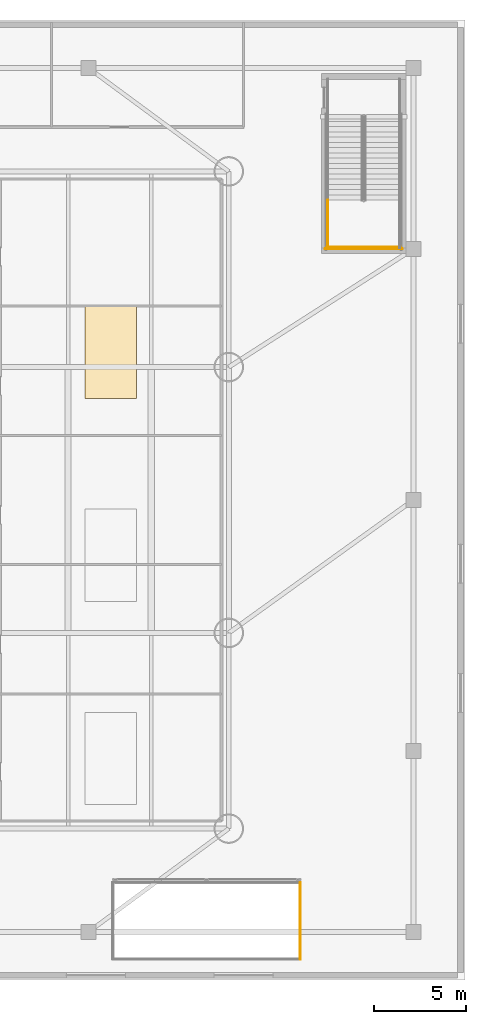
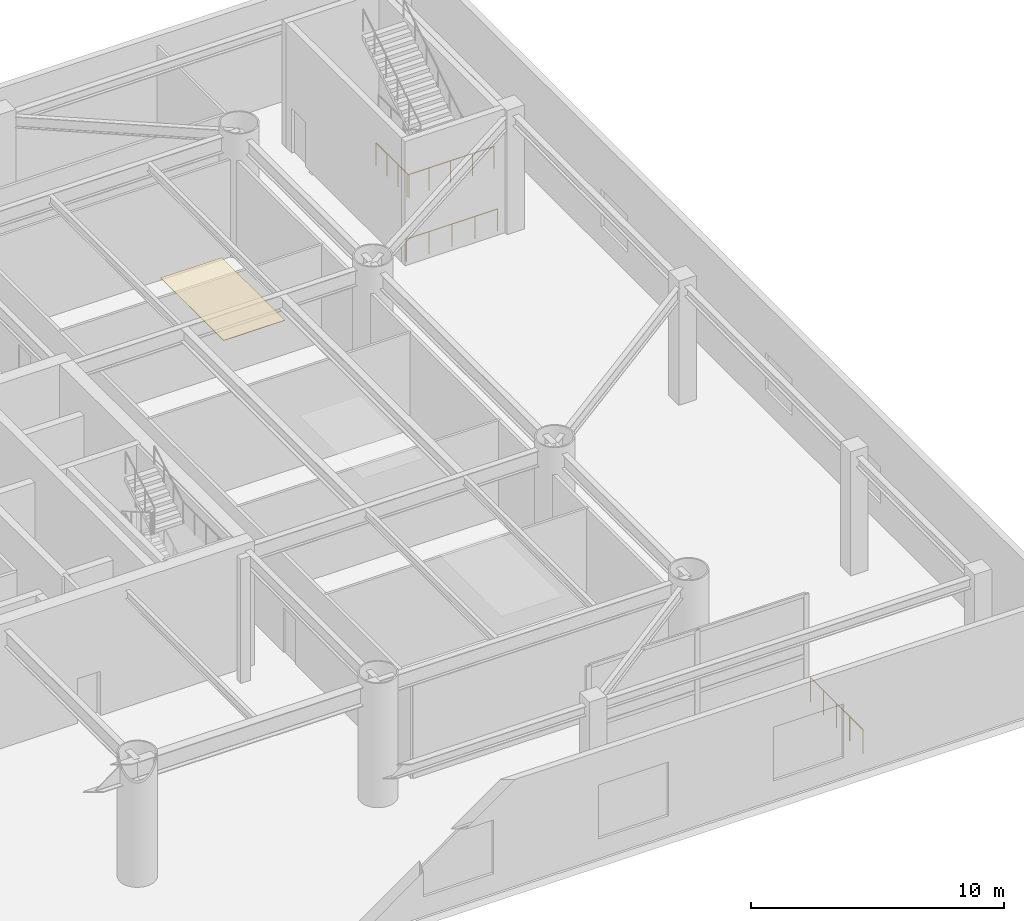
# One storey, part 16 of 17: 4 railings, 1 covering.
"""IFC4 building model written with IfcOpenShell, lengths in metres."""

from ifc_helpers import new_model, si_unit, direction, frame, origin, origin_2d, place, context, subcontext, project, spatial, polyline, circle, outline, extrude, material, layer, layer_set, type_object, element, save


model = new_model("IFC4")

# Units and contexts
model_context = context("Model", 3, precision=1e-05, world=origin(), true_north=direction((0.0, 1.0)))
body_context = subcontext(model_context, "Body", "Model", "MODEL_VIEW")
ifc_project = project(units=[si_unit("LENGTHUNIT", "METRE"), si_unit("AREAUNIT", "SQUARE_METRE"), si_unit("VOLUMEUNIT", "CUBIC_METRE"), si_unit("PLANEANGLEUNIT", "RADIAN"), si_unit("MASSUNIT", "GRAM", prefix="KILO")], contexts=[model_context])

# Site, building, storey
site_placement = place(None, origin())
site = spatial("IfcSite", under=ifc_project, at=site_placement, CompositionType="ELEMENT")
building_placement = place(site_placement, origin())
building = spatial("IfcBuilding", under=site, at=building_placement, Name="Bramvorn Convention Spire", CompositionType="ELEMENT")
storey_placement = place(building_placement, frame((0.0, 0.0, 24.0)))
storey = spatial("IfcBuildingStorey", under=building, at=storey_placement, Name="L04", CompositionType="ELEMENT", Elevation=24.0)

# Covering
ifc_material_1 = material(Name="Micro-Perforated Mineral-Fibre Acoustic Ceiling Tile", Category="gypsum")
ifc_layer = layer(ifc_material_1, 0.02001953125)
ifc_layer_set = layer_set([ifc_layer], Name="Micro-Perforated Mineral-Fibre Acoustic Ceiling Tile - CLG-ACOUSTIC-20")
covering_type = type_object("IfcCoveringType", Name="CLG-ACOUSTIC-20", PredefinedType="CEILING", material=ifc_layer_set)
covering_placement = place(storey_placement, frame((0.0, 0.0, 5.6298828125)))
element("IfcCovering", 1, at=covering_placement, inside=storey, type_object=covering_type, Name="L04 Seminar acoustic tile ceiling 3", PredefinedType="CEILING", context=body_context, shape_type="SweptSolid", body=[
    extrude(outline(polyline([(55.39990234375, 31.5), (58.199951171875, 31.5), (58.199951171875, 36.5), (55.39990234375, 36.5), (55.39990234375, 31.5)])), origin(), (0.0, 0.0, 1.0), 0.02001953125),
])

# Railings
ifc_material_2 = material(Name="Warm Bronze Perforated Metal & Glass Balustrade", Category="glass")
railing_type_1 = type_object("IfcRailingType", Name="RL-POD-BALUSTRADE-1200", PredefinedType="BALUSTRADE", material=ifc_material_2)
railing_1_placement = place(storey_placement, frame((67.080078125, 1.1201171875, 0.0)))
element("IfcRailing", 2, at=railing_1_placement, inside=storey, type_object=railing_type_1, Name="L04 SE void perimeter balustrade side 2", PredefinedType="BALUSTRADE", context=body_context, shape_type="SweptSolid", body=[
    extrude(circle(Radius=0.02392578125, at=origin_2d()), frame((0.0, 0.0, 1.17578125), z_axis=(0.0, 1.0, 0.0), x_axis=(-1.0, 0.0, 0.0)), (0.0, 0.0, 1.0), 4.159912109375),
    extrude(circle(Radius=0.02099609375, at=origin_2d()), origin(), (0.0, 0.0, 1.0), 1.15185546875),
    extrude(circle(Radius=0.02099609375, at=origin_2d()), frame((0.0, 1.0400390625, 0.0)), (0.0, 0.0, 1.0), 1.15185546875),
    extrude(circle(Radius=0.02099609375, at=origin_2d()), frame((0.0, 2.080078125, 0.0)), (0.0, 0.0, 1.0), 1.15185546875),
    extrude(circle(Radius=0.02099609375, at=origin_2d()), frame((0.0, 3.119873046875, 0.0)), (0.0, 0.0, 1.0), 1.15185546875),
    extrude(circle(Radius=0.02099609375, at=origin_2d()), frame((0.0, 4.159912109375, 0.0)), (0.0, 0.0, 1.0), 1.15185546875),
])
ifc_material_3 = material(Name="Painted Steel Balustrade & Guardrail", Category="steel")
railing_type_2 = type_object("IfcRailingType", Name="RL-STAIR-GUARD-1100", PredefinedType="GUARDRAIL", material=ifc_material_3)
railing_2_placement = place(storey_placement, frame((68.570068359375, 42.239990234375, 3.0)))
element("IfcRailing", 3, at=railing_2_placement, inside=storey, type_object=railing_type_2, Name="L04 ST5 stair guard 3", PredefinedType="GUARDRAIL", context=body_context, shape_type="SweptSolid", body=[
    extrude(circle(Radius=0.02392578125, at=origin_2d()), frame((0.0, 0.0, 1.076171875), z_axis=(0.0, -1.0, 0.0), x_axis=(1.0, 0.0, 0.0)), (0.0, 0.0, 1.0), 2.590087890625),
    extrude(circle(Radius=0.02099609375, at=origin_2d()), origin(), (0.0, 0.0, 1.0), 1.052001953125),
    extrude(circle(Radius=0.02099609375, at=origin_2d()), frame((0.0, -0.86328125, 0.0)), (0.0, 0.0, 1.0), 1.052001953125),
    extrude(circle(Radius=0.02099609375, at=origin_2d()), frame((0.0, -1.726806640625, 0.0)), (0.0, 0.0, 1.0), 1.052001953125),
    extrude(circle(Radius=0.02099609375, at=origin_2d()), frame((0.0, -2.590087890625, 0.0)), (0.0, 0.0, 1.0), 1.052001953125),
])
railing_3_placement = place(storey_placement, frame((68.52001953125, 39.699951171875, 3.0)))
element("IfcRailing", 4, at=railing_3_placement, inside=storey, type_object=railing_type_2, Name="L04 ST5 stair guard 5", PredefinedType="GUARDRAIL", context=body_context, shape_type="SweptSolid", body=[
    extrude(circle(Radius=0.02392578125, at=origin_2d()), frame((0.0, 0.0, 1.076171875), z_axis=(1.0, 0.0, 0.0), x_axis=(0.0, 1.0, 0.0)), (0.0, 0.0, 1.0), 3.97998046875),
    extrude(circle(Radius=0.02099609375, at=origin_2d()), origin(), (0.0, 0.0, 1.0), 1.052001953125),
    extrude(circle(Radius=0.02099609375, at=origin_2d()), frame((0.9951171875, 0.0, 0.0)), (0.0, 0.0, 1.0), 1.052001953125),
    extrude(circle(Radius=0.02099609375, at=origin_2d()), frame((1.989990234375, 0.0, 0.0)), (0.0, 0.0, 1.0), 1.052001953125),
    extrude(circle(Radius=0.02099609375, at=origin_2d()), frame((2.98486328125, 0.0, 0.0)), (0.0, 0.0, 1.0), 1.052001953125),
    extrude(circle(Radius=0.02099609375, at=origin_2d()), frame((3.97998046875, 0.0, 0.0)), (0.0, 0.0, 1.0), 1.052001953125),
])
railing_4_placement = place(storey_placement, frame((68.419921875, 39.60009765625, 0.0)))
element("IfcRailing", 5, at=railing_4_placement, inside=storey, type_object=railing_type_2, Name="L04 ST5 stair guard 12", PredefinedType="GUARDRAIL", context=body_context, shape_type="SweptSolid", body=[
    extrude(circle(Radius=0.02392578125, at=origin_2d()), frame((0.0, 0.0, 1.076171875), z_axis=(1.0, 0.0, 0.0), x_axis=(0.0, 1.0, 0.0)), (0.0, 0.0, 1.0), 4.18017578125),
    extrude(circle(Radius=0.02099609375, at=origin_2d()), origin(), (0.0, 0.0, 1.0), 1.052001953125),
    extrude(circle(Radius=0.02099609375, at=origin_2d()), frame((1.044921875, 0.0, 0.0)), (0.0, 0.0, 1.0), 1.052001953125),
    extrude(circle(Radius=0.02099609375, at=origin_2d()), frame((2.090087890625, 0.0, 0.0)), (0.0, 0.0, 1.0), 1.052001953125),
    extrude(circle(Radius=0.02099609375, at=origin_2d()), frame((3.13525390625, 0.0, 0.0)), (0.0, 0.0, 1.0), 1.052001953125),
    extrude(circle(Radius=0.02099609375, at=origin_2d()), frame((4.18017578125, 0.0, 0.0)), (0.0, 0.0, 1.0), 1.052001953125),
])

save(model, "model.ifc")
